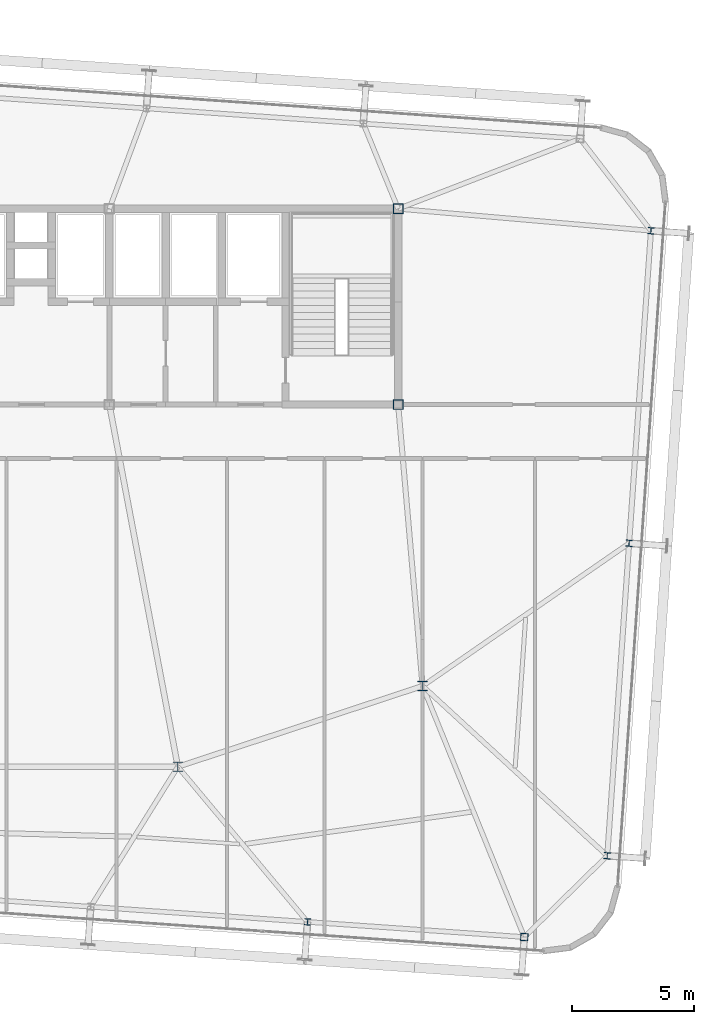
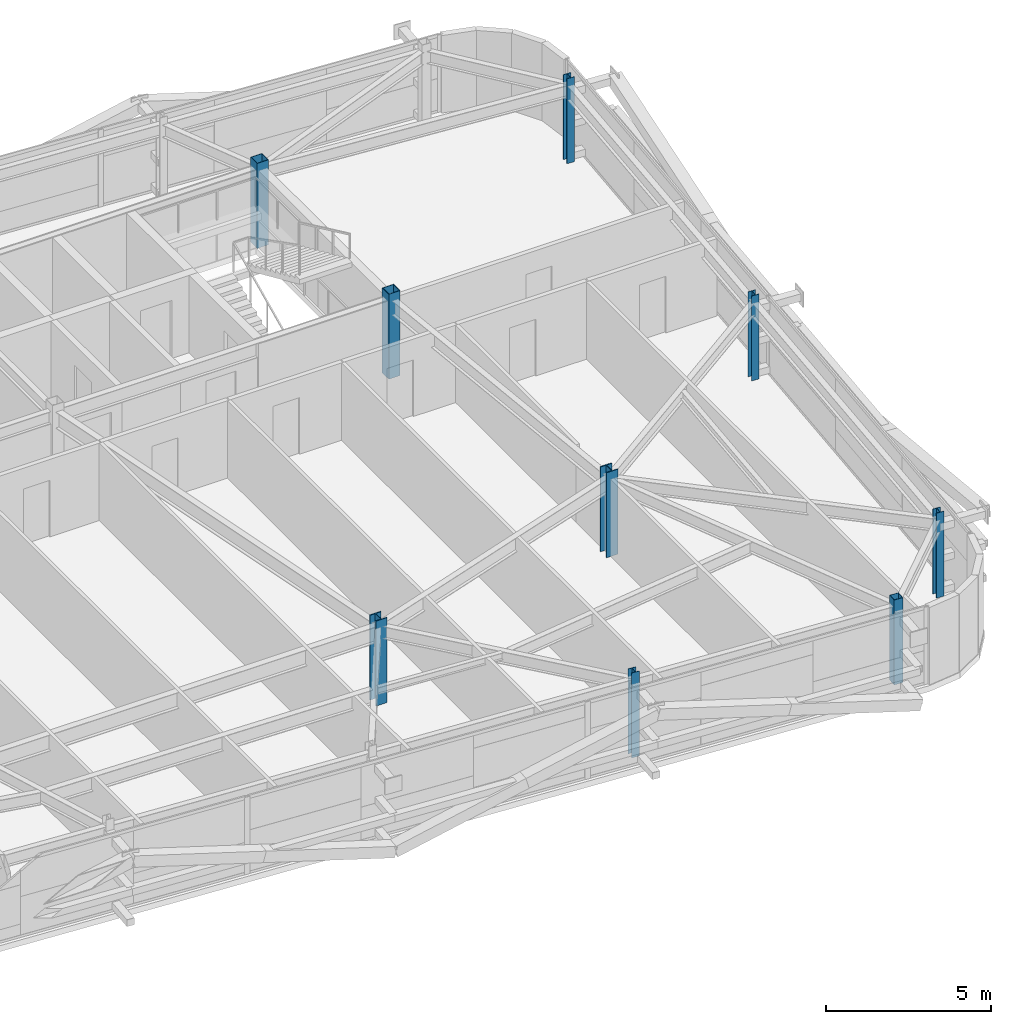
# One storey, part 3 of 39: 9 columns.
"""IFC4 building model written with IfcOpenShell, lengths in metres."""

from ifc_helpers import new_model, si_unit, direction, frame, origin, origin_2d, place, context, subcontext, project, spatial, hollow_rectangle, i_section, extrude, source, transform, mapped, material, material_profile, profile_set, type_object, element, save


model = new_model("IFC4")

# Units and contexts
model_context = context("Model", 3, precision=1e-05, world=origin(), true_north=direction((0.0, 1.0)))
body_context = subcontext(model_context, "Body", "Model", "MODEL_VIEW")
ifc_project = project(units=[si_unit("LENGTHUNIT", "METRE"), si_unit("AREAUNIT", "SQUARE_METRE"), si_unit("VOLUMEUNIT", "CUBIC_METRE"), si_unit("PLANEANGLEUNIT", "RADIAN"), si_unit("MASSUNIT", "GRAM", prefix="KILO")], contexts=[model_context])

# Site, building, storey
site_placement = place(None, origin())
site = spatial("IfcSite", under=ifc_project, at=site_placement, CompositionType="ELEMENT")
building_placement = place(site_placement, origin())
building = spatial("IfcBuilding", under=site, at=building_placement, Name="Taldren Reach Tower", CompositionType="ELEMENT")
storey_placement = place(building_placement, frame((0.0, 0.0, 161.35009765625)))
storey = spatial("IfcBuildingStorey", under=building, at=storey_placement, Name="L49", CompositionType="ELEMENT", Elevation=161.35009765625)

# Columns
ifc_material_1 = material(Name="Steel Gr 350 (350PLUS)", Category="steel")
ifc_material_profile_1 = material_profile(ifc_material_1, i_section(OverallWidth=0.39990234375, OverallDepth=0.39599609375, WebThickness=0.02197265625, FlangeThickness=0.033935546875, at=origin_2d()), Name="400WC270")
ifc_profile_set_1 = profile_set([ifc_material_profile_1], Name="Steel Gr 350 (350PLUS)")
column_type_1 = type_object("IfcColumnType", Name="COL-WC400", PredefinedType="COLUMN", material=ifc_profile_set_1)
shared_shape_1 = source(origin(), body_context, "Body", "SweptSolid", [
    extrude(i_section(OverallWidth=0.39990234375, OverallDepth=0.39599609375, WebThickness=0.02197265625, FlangeThickness=0.033935546875, at=origin_2d()), origin(), (0.0, 0.0, 1.0), 3.14990234375),
])
for number, where, z_axis, x_axis, name in (
    (1, (42.0, 9.199951171875, 0.0), (0.0, 0.0, 1.0), (1.0, 0.0, 0.0), "Mega column MC-PJE L49"),
    (2, (52.0, 12.5, 0.0), (0.0, 0.0, 1.0), (1.0, 0.0, 0.0), "Mega column MC-SE L49"),
):
    element("IfcColumn", number, at=place(storey_placement, frame(where, z_axis=z_axis, x_axis=x_axis)), inside=storey, type_object=column_type_1, Name=name, PredefinedType="COLUMN", context=body_context, shape_type="MappedRepresentation", body=[
        mapped(shared_shape_1, transform((0.0, 0.0, 0.0), scale=1.0)),
    ])
ifc_material_2 = material(Name="Steel Gr 450 (C450L0)", Category="steel")
ifc_material_profile_2 = material_profile(ifc_material_2, hollow_rectangle(XDim=0.39990234375, YDim=0.39990234375, WallThickness=0.01611328125, at=origin_2d()), Name="400x400x16.0SHS")
ifc_profile_set_2 = profile_set([ifc_material_profile_2], Name="Steel Gr 450 (C450L0)")
column_type_2 = type_object("IfcColumnType", Name="COL-SHS400", PredefinedType="COLUMN", material=ifc_profile_set_2)
shared_shape_2 = source(origin(), body_context, "Body", "SweptSolid", [
    extrude(hollow_rectangle(XDim=0.39990234375, YDim=0.39990234375, WallThickness=0.01611328125, at=origin_2d()), origin(), (0.0, 0.0, 1.0), 3.14990234375),
])
for number, where, z_axis, x_axis, name in (
    (3, (51.0, 24.0, 0.0), (0.0, 0.0, 1.0), (1.0, 0.0, 0.0), "Mega column MC-C4 L49"),
    (4, (51.0, 32.0, 0.0), (0.0, 0.0, 1.0), (1.0, 0.0, 0.0), "Mega column MC-C8 L49"),
):
    element("IfcColumn", number, at=place(storey_placement, frame(where, z_axis=z_axis, x_axis=x_axis)), inside=storey, type_object=column_type_2, Name=name, PredefinedType="COLUMN", context=body_context, shape_type="MappedRepresentation", body=[
        mapped(shared_shape_2, transform((0.0, 0.0, 0.0), scale=1.0)),
    ])
ifc_material_profile_3 = material_profile(ifc_material_2, hollow_rectangle(XDim=0.300048828125, YDim=0.300048828125, WallThickness=0.012451171875, at=origin_2d()), Name="300x300x12.5SHS")
ifc_profile_set_3 = profile_set([ifc_material_profile_3], Name="Steel Gr 450 (C450L0)")
column_type_3 = type_object("IfcColumnType", Name="COL-SHS300", PredefinedType="COLUMN", material=ifc_profile_set_3)
shared_shape_3 = source(origin(), body_context, "Body", "SweptSolid", [
    extrude(hollow_rectangle(XDim=0.300048828125, YDim=0.300048828125, WallThickness=0.012451171875, at=origin_2d()), origin(), (0.0, 0.0, 1.0), 3.14990234375),
])
column_placement = place(storey_placement, frame((56.155517578125, 2.2412109375, 0.0), z_axis=(0.0, 0.0, 1.0), x_axis=(0.99756405026, -0.069756473744, 0.0)))
element("IfcColumn", 5, at=column_placement, inside=storey, type_object=column_type_3, Name="Block B3 perimeter column S6 L49", PredefinedType="COLUMN", context=body_context, shape_type="MappedRepresentation", body=[
    mapped(shared_shape_3, transform((0.0, 0.0, 0.0), scale=1.0)),
])
ifc_material_profile_4 = material_profile(ifc_material_1, i_section(OverallWidth=0.256103515625, OverallDepth=0.260009765625, WebThickness=0.010498046875, FlangeThickness=0.017333984375, at=origin_2d()), Name="250UC89.5")
ifc_profile_set_4 = profile_set([ifc_material_profile_4], Name="Steel Gr 350 (350PLUS)")
column_type_4 = type_object("IfcColumnType", Name="COL-UC250", PredefinedType="COLUMN", material=ifc_profile_set_4)
shared_shape_4 = source(origin(), body_context, "Body", "SweptSolid", [
    extrude(i_section(OverallWidth=0.256103515625, OverallDepth=0.260009765625, WebThickness=0.010498046875, FlangeThickness=0.017333984375, at=origin_2d()), origin(), (0.0, 0.0, 1.0), 3.14990234375),
])
for number, where, z_axis, x_axis, name in (
    (6, (47.297119140625, 2.860595703125, 0.0), (0.0, 0.0, 1.0), (0.99756405026, -0.069756473744, 0.0), "Block B3 perimeter column S5 L49"),
    (7, (59.54541015625, 5.562744140625, 0.0), (0.0, 0.0, 1.0), (0.99756405026, -0.069756473744, 0.0), "Block B3 perimeter column E1 L49"),
    (8, (60.438232421875, 18.331787109375, 0.0), (0.0, 0.0, 1.0), (0.99756405026, -0.069756473744, 0.0), "Block B3 perimeter column E2 L49"),
    (9, (61.3310546875, 31.1005859375, 0.0), (0.0, 0.0, 1.0), (0.99756405026, -0.069756473744, 0.0), "Block B3 perimeter column E3 L49"),
):
    element("IfcColumn", number, at=place(storey_placement, frame(where, z_axis=z_axis, x_axis=x_axis)), inside=storey, type_object=column_type_4, Name=name, PredefinedType="COLUMN", context=body_context, shape_type="MappedRepresentation", body=[
        mapped(shared_shape_4, transform((0.0, 0.0, 0.0), scale=1.0)),
    ])

save(model, "model.ifc")
